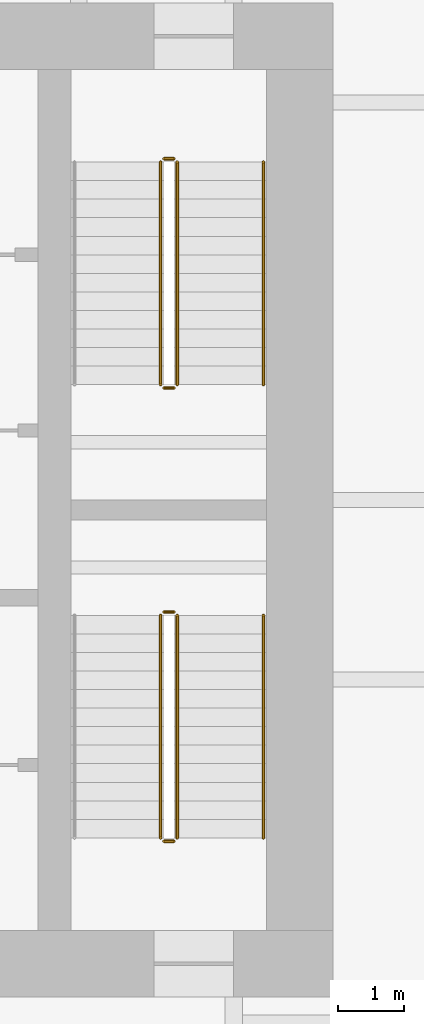
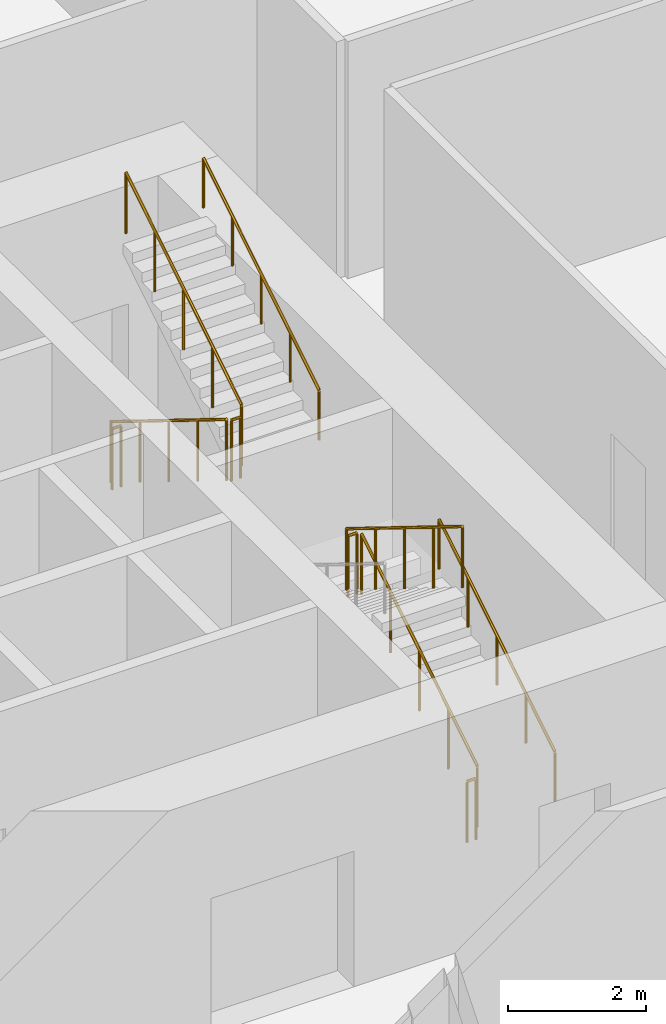
# One storey, part 28 of 29: 10 railings.
"""IFC4 building model written with IfcOpenShell, lengths in metres."""

from ifc_helpers import new_model, si_unit, direction, frame, origin, origin_2d, place, context, subcontext, project, spatial, circle, extrude, material, type_object, element, save


model = new_model("IFC4")

# Units and contexts
model_context = context("Model", 3, precision=1e-05, world=origin(), true_north=direction((0.0, 1.0)))
body_context = subcontext(model_context, "Body", "Model", "MODEL_VIEW")
ifc_project = project(units=[si_unit("LENGTHUNIT", "METRE"), si_unit("AREAUNIT", "SQUARE_METRE"), si_unit("VOLUMEUNIT", "CUBIC_METRE"), si_unit("PLANEANGLEUNIT", "RADIAN"), si_unit("MASSUNIT", "GRAM", prefix="KILO")], contexts=[model_context])

# Site, building, storey
site_placement = place(None, origin())
site = spatial("IfcSite", under=ifc_project, at=site_placement, CompositionType="ELEMENT")
building_placement = place(site_placement, origin())
building = spatial("IfcBuilding", under=site, at=building_placement, Name="Isthmus Gate Tower", CompositionType="ELEMENT")
storey_placement = place(building_placement, frame((0.0, 0.0, 27.0)))
storey = spatial("IfcBuildingStorey", under=building, at=storey_placement, Name="L04", CompositionType="ELEMENT", Elevation=27.0)

# Railings
ifc_material_1 = material(Name="Stainless steel balustrade", Category="steel")
railing_type_1 = type_object("IfcRailingType", Name="STAIR GUARD 1100", PredefinedType="GUARDRAIL", material=ifc_material_1)
railing_1_placement = place(storey_placement, frame((12.39990234375, 12.60009765625, 0.173095703125)))
element("IfcRailing", 1, at=railing_1_placement, inside=storey, type_object=railing_type_1, Name="L04 ST2 stair guard 1", PredefinedType="GUARDRAIL", context=body_context, shape_type="SweptSolid", body=[
    extrude(circle(Radius=0.02392578125, at=origin_2d()), frame((0.0, 0.0, 1.076171875), z_axis=(0.0, -0.850623216509, 0.525775754039), x_axis=(1.0, 0.0, 0.0)), (0.0, 0.0, 1.0), 3.9501953125),
    extrude(circle(Radius=0.02099609375, at=origin_2d()), origin(), (0.0, 0.0, 1.0), 1.052001953125),
    extrude(circle(Radius=0.02099609375, at=origin_2d()), frame((0.0, -0.840087890625, 0.519287109375)), (0.0, 0.0, 1.0), 1.052001953125),
    extrude(circle(Radius=0.02099609375, at=origin_2d()), frame((0.0, -1.68017578125, 1.03857421875)), (0.0, 0.0, 1.0), 1.052001953125),
    extrude(circle(Radius=0.02099609375, at=origin_2d()), frame((0.0, -2.52001953125, 1.5576171875)), (0.0, 0.0, 1.0), 1.052001953125),
    extrude(circle(Radius=0.02099609375, at=origin_2d()), frame((0.0, -3.360107421875, 2.076904296875)), (0.0, 0.0, 1.0), 1.052001953125),
])
railing_2_placement = place(storey_placement, frame((12.449951171875, 9.18994140625, 2.25)))
element("IfcRailing", 2, at=railing_2_placement, inside=storey, type_object=railing_type_1, Name="L04 ST2 stair guard 2", PredefinedType="GUARDRAIL", context=body_context, shape_type="SweptSolid", body=[
    extrude(circle(Radius=0.02392578125, at=origin_2d()), frame((0.0, 0.0, 1.076171875), z_axis=(1.0, 0.0, 0.0), x_axis=(0.0, 1.0, 0.0)), (0.0, 0.0, 1.0), 0.150146484375),
    extrude(circle(Radius=0.02099609375, at=origin_2d()), origin(), (0.0, 0.0, 1.0), 1.052001953125),
    extrude(circle(Radius=0.02099609375, at=origin_2d()), frame((0.150146484375, 0.0, 0.0)), (0.0, 0.0, 1.0), 1.052001953125),
])
railing_3_placement = place(storey_placement, frame((12.64990234375, 9.239990234375, 2.423095703125)))
element("IfcRailing", 3, at=railing_3_placement, inside=storey, type_object=railing_type_1, Name="L04 ST2 stair guard 3", PredefinedType="GUARDRAIL", context=body_context, shape_type="SweptSolid", body=[
    extrude(circle(Radius=0.02392578125, at=origin_2d()), frame((0.0, 0.0, 1.076171875), z_axis=(0.0, 0.850623216509, 0.525775754039), x_axis=(-1.0, 0.0, 0.0)), (0.0, 0.0, 1.0), 3.9501953125),
    extrude(circle(Radius=0.02099609375, at=origin_2d()), origin(), (0.0, 0.0, 1.0), 1.052001953125),
    extrude(circle(Radius=0.02099609375, at=origin_2d()), frame((0.0, 0.840087890625, 0.519287109375)), (0.0, 0.0, 1.0), 1.052001953125),
    extrude(circle(Radius=0.02099609375, at=origin_2d()), frame((0.0, 1.68017578125, 1.03857421875)), (0.0, 0.0, 1.0), 1.052001953125),
    extrude(circle(Radius=0.02099609375, at=origin_2d()), frame((0.0, 2.52001953125, 1.5576171875)), (0.0, 0.0, 1.0), 1.052001953125),
    extrude(circle(Radius=0.02099609375, at=origin_2d()), frame((0.0, 3.360107421875, 2.076904296875)), (0.0, 0.0, 1.0), 1.052001953125),
])
railing_4_placement = place(storey_placement, frame((12.449951171875, 12.64990234375, 0.0)))
element("IfcRailing", 4, at=railing_4_placement, inside=storey, type_object=railing_type_1, Name="L04 ST2 stair guard 4", PredefinedType="GUARDRAIL", context=body_context, shape_type="SweptSolid", body=[
    extrude(circle(Radius=0.02392578125, at=origin_2d()), frame((0.0, 0.0, 1.076171875), z_axis=(1.0, 0.0, 0.0), x_axis=(0.0, 1.0, 0.0)), (0.0, 0.0, 1.0), 0.150146484375),
    extrude(circle(Radius=0.02099609375, at=origin_2d()), origin(), (0.0, 0.0, 1.0), 1.052001953125),
    extrude(circle(Radius=0.02099609375, at=origin_2d()), frame((0.150146484375, 0.0, 0.0)), (0.0, 0.0, 1.0), 1.052001953125),
])
railing_5_placement = place(storey_placement, frame((12.64990234375, 2.39990234375, 0.173095703125)))
element("IfcRailing", 5, at=railing_5_placement, inside=storey, type_object=railing_type_1, Name="L04 ST8 stair guard 1", PredefinedType="GUARDRAIL", context=body_context, shape_type="SweptSolid", body=[
    extrude(circle(Radius=0.02392578125, at=origin_2d()), frame((0.0, 0.0, 1.076171875), z_axis=(0.0, 0.850623216509, 0.525775754039), x_axis=(-1.0, 0.0, 0.0)), (0.0, 0.0, 1.0), 3.9501953125),
    extrude(circle(Radius=0.02099609375, at=origin_2d()), origin(), (0.0, 0.0, 1.0), 1.052001953125),
    extrude(circle(Radius=0.02099609375, at=origin_2d()), frame((0.0, 0.840087890625, 0.519287109375)), (0.0, 0.0, 1.0), 1.052001953125),
    extrude(circle(Radius=0.02099609375, at=origin_2d()), frame((0.0, 1.68017578125, 1.03857421875)), (0.0, 0.0, 1.0), 1.052001953125),
    extrude(circle(Radius=0.02099609375, at=origin_2d()), frame((0.0, 2.52001953125, 1.5576171875)), (0.0, 0.0, 1.0), 1.052001953125),
    extrude(circle(Radius=0.02099609375, at=origin_2d()), frame((0.0, 3.360107421875, 2.076904296875)), (0.0, 0.0, 1.0), 1.052001953125),
])
railing_6_placement = place(storey_placement, frame((12.60009765625, 5.81005859375, 2.25)))
element("IfcRailing", 6, at=railing_6_placement, inside=storey, type_object=railing_type_1, Name="L04 ST8 stair guard 2", PredefinedType="GUARDRAIL", context=body_context, shape_type="SweptSolid", body=[
    extrude(circle(Radius=0.02392578125, at=origin_2d()), frame((0.0, 0.0, 1.076171875), z_axis=(-1.0, 0.0, 0.0), x_axis=(0.0, -1.0, 0.0)), (0.0, 0.0, 1.0), 0.150146484375),
    extrude(circle(Radius=0.02099609375, at=origin_2d()), origin(), (0.0, 0.0, 1.0), 1.052001953125),
    extrude(circle(Radius=0.02099609375, at=origin_2d()), frame((-0.150146484375, 0.0, 0.0)), (0.0, 0.0, 1.0), 1.052001953125),
])
railing_7_placement = place(storey_placement, frame((12.39990234375, 5.760009765625, 2.423095703125)))
element("IfcRailing", 7, at=railing_7_placement, inside=storey, type_object=railing_type_1, Name="L04 ST8 stair guard 3", PredefinedType="GUARDRAIL", context=body_context, shape_type="SweptSolid", body=[
    extrude(circle(Radius=0.02392578125, at=origin_2d()), frame((0.0, 0.0, 1.076171875), z_axis=(0.0, -0.850623216509, 0.525775754039), x_axis=(1.0, 0.0, 0.0)), (0.0, 0.0, 1.0), 3.9501953125),
    extrude(circle(Radius=0.02099609375, at=origin_2d()), origin(), (0.0, 0.0, 1.0), 1.052001953125),
    extrude(circle(Radius=0.02099609375, at=origin_2d()), frame((0.0, -0.840087890625, 0.519287109375)), (0.0, 0.0, 1.0), 1.052001953125),
    extrude(circle(Radius=0.02099609375, at=origin_2d()), frame((0.0, -1.68017578125, 1.03857421875)), (0.0, 0.0, 1.0), 1.052001953125),
    extrude(circle(Radius=0.02099609375, at=origin_2d()), frame((0.0, -2.52001953125, 1.5576171875)), (0.0, 0.0, 1.0), 1.052001953125),
    extrude(circle(Radius=0.02099609375, at=origin_2d()), frame((0.0, -3.360107421875, 2.076904296875)), (0.0, 0.0, 1.0), 1.052001953125),
])
railing_8_placement = place(storey_placement, frame((12.60009765625, 2.35009765625, 0.0)))
element("IfcRailing", 8, at=railing_8_placement, inside=storey, type_object=railing_type_1, Name="L04 ST8 stair guard 4", PredefinedType="GUARDRAIL", context=body_context, shape_type="SweptSolid", body=[
    extrude(circle(Radius=0.02392578125, at=origin_2d()), frame((0.0, 0.0, 1.076171875), z_axis=(-1.0, 0.0, 0.0), x_axis=(0.0, -1.0, 0.0)), (0.0, 0.0, 1.0), 0.150146484375),
    extrude(circle(Radius=0.02099609375, at=origin_2d()), origin(), (0.0, 0.0, 1.0), 1.052001953125),
    extrude(circle(Radius=0.02099609375, at=origin_2d()), frame((-0.150146484375, 0.0, 0.0)), (0.0, 0.0, 1.0), 1.052001953125),
])
ifc_material_2 = material(Name="Stainless steel handrail", Category="steel")
railing_type_2 = type_object("IfcRailingType", Name="STAIR HANDRAIL 900", PredefinedType="HANDRAIL", material=ifc_material_2)
for number, where, name in (
    (9, (13.949951171875, 9.239990234375, 2.423095703125), "L04 ST2 stair handrail 2"),
    (10, (13.949951171875, 2.39990234375, 0.173095703125), "L04 ST8 stair handrail 1"),
):
    element("IfcRailing", number, at=place(storey_placement, frame(where)), inside=storey, type_object=railing_type_2, Name=name, PredefinedType="HANDRAIL", context=body_context, shape_type="SweptSolid", body=[
        extrude(circle(Radius=0.02392578125, at=origin_2d()), frame((0.0, 0.0, 0.8759765625), z_axis=(0.0, 0.850623216509, 0.525775754039), x_axis=(-1.0, 0.0, 0.0)), (0.0, 0.0, 1.0), 3.9501953125),
        extrude(circle(Radius=0.02099609375, at=origin_2d()), origin(), (0.0, 0.0, 1.0), 0.851806640625),
        extrude(circle(Radius=0.02099609375, at=origin_2d()), frame((0.0, 0.840087890625, 0.519287109375)), (0.0, 0.0, 1.0), 0.851806640625),
        extrude(circle(Radius=0.02099609375, at=origin_2d()), frame((0.0, 1.68017578125, 1.03857421875)), (0.0, 0.0, 1.0), 0.851806640625),
        extrude(circle(Radius=0.02099609375, at=origin_2d()), frame((0.0, 2.52001953125, 1.5576171875)), (0.0, 0.0, 1.0), 0.851806640625),
        extrude(circle(Radius=0.02099609375, at=origin_2d()), frame((0.0, 3.360107421875, 2.076904296875)), (0.0, 0.0, 1.0), 0.851806640625),
    ])

save(model, "model.ifc")
